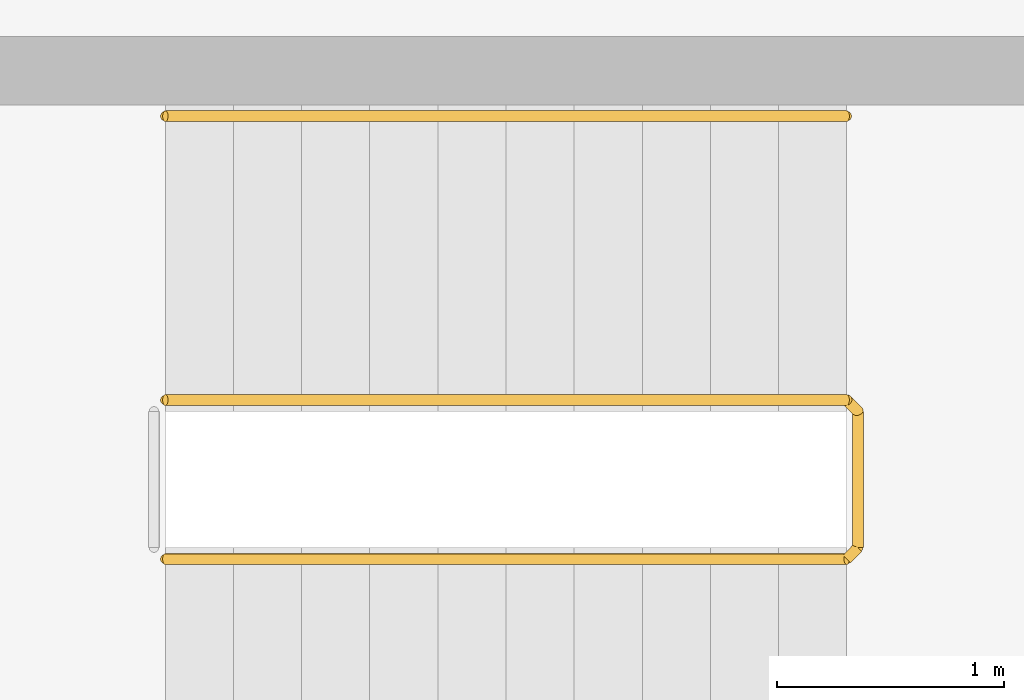
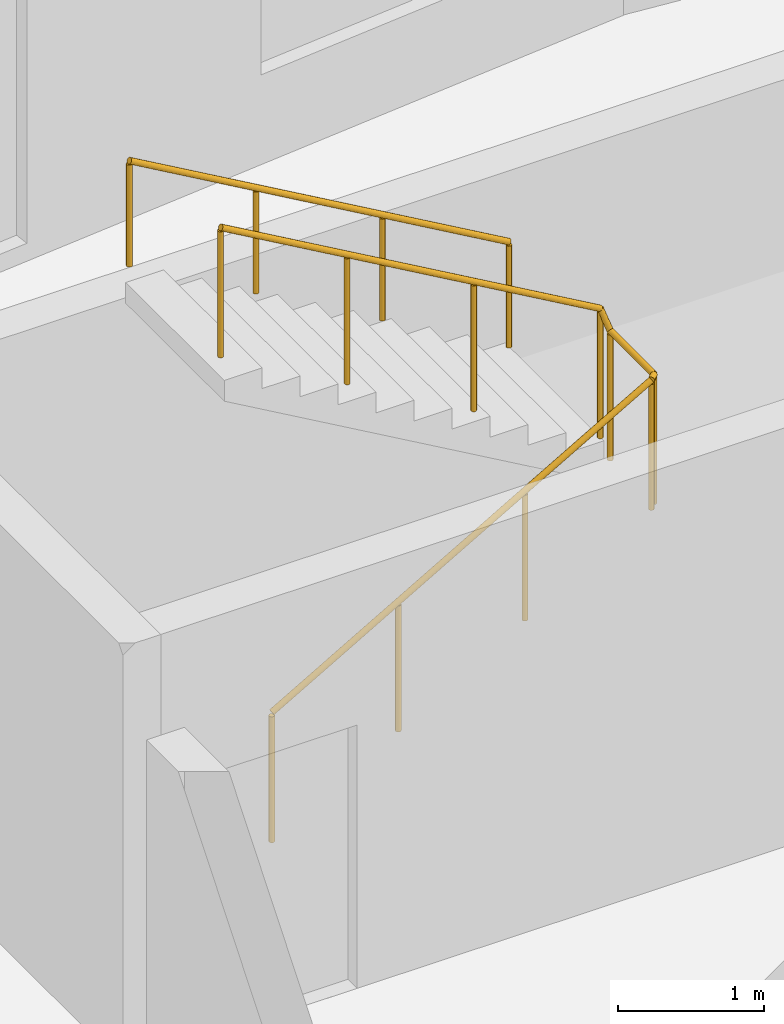
# One storey, part 11 of 11: 2 railings.
"""IFC4 building model written with IfcOpenShell, lengths in metres."""

from ifc_helpers import new_model, si_unit, direction, frame, origin, origin_2d, place, context, subcontext, project, spatial, circle, extrude, material, type_object, element, save


model = new_model("IFC4")

# Units and contexts
model_context = context("Model", 3, precision=1e-05, world=origin(), true_north=direction((0.0, 1.0)))
body_context = subcontext(model_context, "Body", "Model", "MODEL_VIEW")
ifc_project = project(units=[si_unit("LENGTHUNIT", "METRE"), si_unit("AREAUNIT", "SQUARE_METRE"), si_unit("VOLUMEUNIT", "CUBIC_METRE"), si_unit("PLANEANGLEUNIT", "RADIAN"), si_unit("MASSUNIT", "GRAM", prefix="KILO")], contexts=[model_context])

# Site, building, storey
site_placement = place(None, origin())
site = spatial("IfcSite", under=ifc_project, at=site_placement, CompositionType="ELEMENT")
building_placement = place(site_placement, origin())
building = spatial("IfcBuilding", under=site, at=building_placement, Name="Brondeck Convention Tower", CompositionType="ELEMENT")
storey_placement = place(building_placement, frame((0.0, 0.0, 99.89990234375)))
storey = spatial("IfcBuildingStorey", under=building, at=storey_placement, Name="L23", CompositionType="ELEMENT", Elevation=99.89990234375)

# Railings
ifc_material = material(Name="Steel S355", Category="steel")
railing_type_1 = type_object("IfcRailingType", Name="Stair guard 1100", PredefinedType="GUARDRAIL", material=ifc_material)
railing_1_placement = place(storey_placement, frame((37.85009765625, 55.449951171875, 0.1728515625)))
element("IfcRailing", 1, at=railing_1_placement, inside=storey, type_object=railing_type_1, Name="L23 ST-AE stair guard 1", PredefinedType="GUARDRAIL", context=body_context, shape_type="SweptSolid", body=[
    extrude(circle(Radius=0.02392578125, at=origin_2d()), frame((0.0, 0.0, 1.076171875), z_axis=(0.866619684472, 0.0, 0.498969260062), x_axis=(0.0, 1.0, 0.0)), (0.0, 0.0, 1.0), 3.461669921875),
    extrude(circle(Radius=0.02392578125, at=origin_2d()), frame((3.0, 0.0, 2.80322265625), z_axis=(0.705375805398, 0.708833529934, 0.0), x_axis=(-0.708833529934, 0.705375805398, 0.0)), (0.0, 0.0, 1.0), 0.070556640625),
    extrude(circle(Radius=0.02392578125, at=origin_2d()), frame((3.0498046875, 0.050048828125, 2.80322265625), z_axis=(0.0, 1.0, 0.0), x_axis=(-1.0, 0.0, 0.0)), (0.0, 0.0, 1.0), 0.60009765625),
    extrude(circle(Radius=0.02392578125, at=origin_2d()), frame((3.0498046875, 0.650146484375, 2.80322265625), z_axis=(-0.26715648603, 0.26715648603, 0.925880566782), x_axis=(-0.707106781187, -0.707106781187, 0.0)), (0.0, 0.0, 1.0), 0.1865234375),
    extrude(circle(Radius=0.02392578125, at=origin_2d()), frame((3.0, 0.699951171875, 2.97607421875), z_axis=(-0.866619684472, 0.0, 0.498969260062), x_axis=(0.0, -1.0, 0.0)), (0.0, 0.0, 1.0), 3.461669921875),
    extrude(circle(Radius=0.02099609375, at=origin_2d()), origin(), (0.0, 0.0, 1.0), 1.052001953125),
    extrude(circle(Radius=0.02099609375, at=origin_2d()), frame((1.0, 0.0, 0.57568359375)), (0.0, 0.0, 1.0), 1.052001953125),
    extrude(circle(Radius=0.02099609375, at=origin_2d()), frame((2.0, 0.0, 1.151611328125)), (0.0, 0.0, 1.0), 1.052001953125),
    extrude(circle(Radius=0.02099609375, at=origin_2d()), frame((3.0, 0.0, 1.727294921875)), (0.0, 0.0, 1.0), 1.052001953125),
    extrude(circle(Radius=0.02099609375, at=origin_2d()), frame((3.0498046875, 0.050048828125, 1.727294921875)), (0.0, 0.0, 1.0), 1.052001953125),
    extrude(circle(Radius=0.02099609375, at=origin_2d()), frame((3.0498046875, 0.650146484375, 1.727294921875)), (0.0, 0.0, 1.0), 1.052001953125),
    extrude(circle(Radius=0.02099609375, at=origin_2d()), frame((3.0, 0.699951171875, 1.89990234375)), (0.0, 0.0, 1.0), 1.052001953125),
    extrude(circle(Radius=0.02099609375, at=origin_2d()), frame((2.0, 0.699951171875, 2.4755859375)), (0.0, 0.0, 1.0), 1.052001953125),
    extrude(circle(Radius=0.02099609375, at=origin_2d()), frame((1.0, 0.699951171875, 3.051513671875)), (0.0, 0.0, 1.0), 1.052001953125),
    extrude(circle(Radius=0.02099609375, at=origin_2d()), frame((0.0, 0.699951171875, 3.627197265625)), (0.0, 0.0, 1.0), 1.052001953125),
])
railing_type_2 = type_object("IfcRailingType", Name="Stair handrail", PredefinedType="HANDRAIL", material=ifc_material)
railing_2_placement = place(storey_placement, frame((40.85009765625, 57.39990234375, 2.07275390625)))
element("IfcRailing", 2, at=railing_2_placement, inside=storey, type_object=railing_type_2, Name="L23 ST-AE stair handrail 2", PredefinedType="HANDRAIL", context=body_context, shape_type="SweptSolid", body=[
    extrude(circle(Radius=0.02392578125, at=origin_2d()), frame((0.0, 0.0, 0.8759765625), z_axis=(-0.866619684472, 0.0, 0.498969260062), x_axis=(0.0, -1.0, 0.0)), (0.0, 0.0, 1.0), 3.461669921875),
    extrude(circle(Radius=0.02099609375, at=origin_2d()), origin(), (0.0, 0.0, 1.0), 0.851806640625),
    extrude(circle(Radius=0.02099609375, at=origin_2d()), frame((-1.0, 0.0, 0.57568359375)), (0.0, 0.0, 1.0), 0.851806640625),
    extrude(circle(Radius=0.02099609375, at=origin_2d()), frame((-2.0, 0.0, 1.151611328125)), (0.0, 0.0, 1.0), 0.851806640625),
    extrude(circle(Radius=0.02099609375, at=origin_2d()), frame((-3.0, 0.0, 1.727294921875)), (0.0, 0.0, 1.0), 0.851806640625),
])

save(model, "model.ifc")
